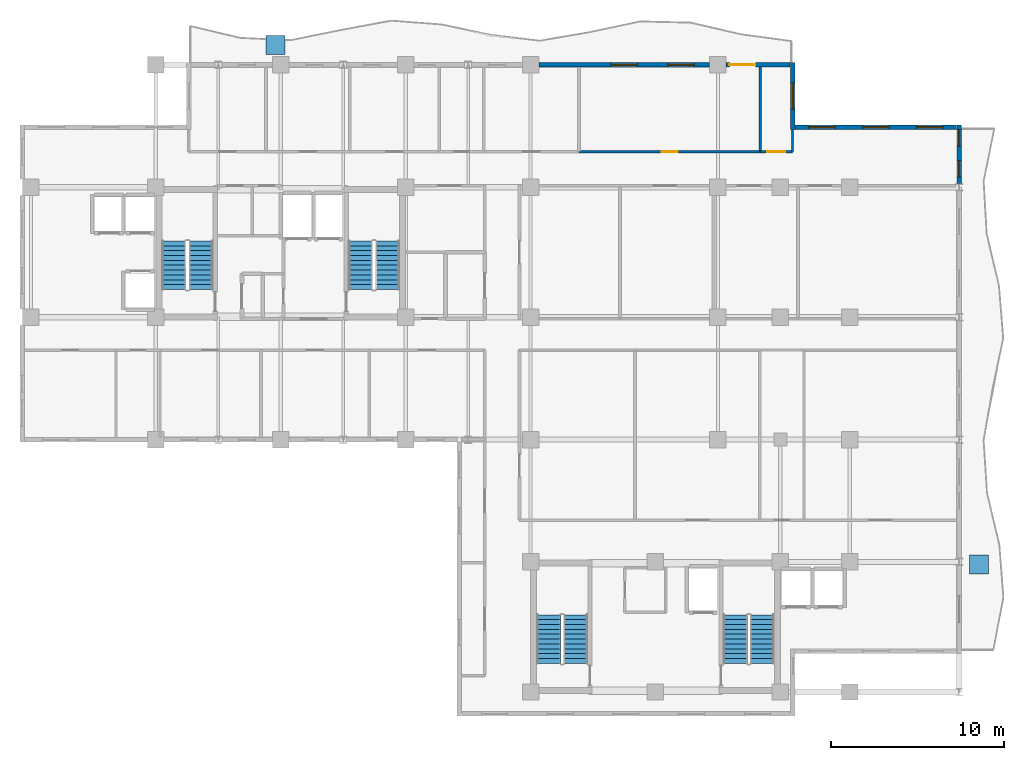
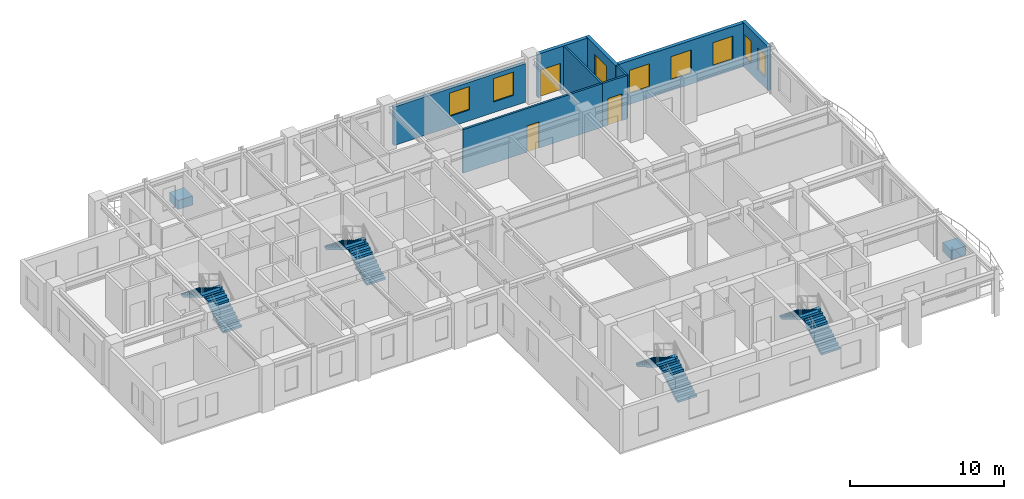
# One storey, part 10 of 13: 9 walls, 8 stair flights, 8 windows, 3 doors, 2 discrete accessories, 11 openings, 4 elements without a shape of their own.
"""IFC4 building model written with IfcOpenShell, lengths in metres."""

from ifc_helpers import new_model, si_unit, direction, frame, frame_2d, origin, origin_2d, place, context, subcontext, project, spatial, polyline, rectangle, outline, extrude, source, transform, mapped, material, layer, layer_set, type_object, element, fill, aggregate, save


model = new_model("IFC4")

# Units and contexts
model_context = context("Model", 3, precision=1e-05, world=origin(), true_north=direction((0.0, 1.0)))
body_context = subcontext(model_context, "Body", "Model", "MODEL_VIEW")
ifc_project = project(units=[si_unit("LENGTHUNIT", "METRE"), si_unit("AREAUNIT", "SQUARE_METRE"), si_unit("VOLUMEUNIT", "CUBIC_METRE"), si_unit("PLANEANGLEUNIT", "RADIAN"), si_unit("MASSUNIT", "GRAM", prefix="KILO")], contexts=[model_context])

# Site, building, storey
site_placement = place(None, origin())
site = spatial("IfcSite", under=ifc_project, at=site_placement, CompositionType="ELEMENT")
building_placement = place(site_placement, origin())
building = spatial("IfcBuilding", under=site, at=building_placement, Name="Kaliganga Portal Commons", CompositionType="ELEMENT")
storey_placement = place(building_placement, frame((0.0, 0.0, 224.0)))
storey = spatial("IfcBuildingStorey", under=building, at=storey_placement, Name="L57", CompositionType="ELEMENT", Elevation=224.0)

# Wall, openings, windows
ifc_material_1 = material(Name="Insulated Aluminium-Clad Spandrel Assembly", Category="aluminium")
ifc_layer_1 = layer(ifc_material_1, 0.260009765625)
ifc_layer_set_1 = layer_set([ifc_layer_1], Name="Insulated Aluminium-Clad Spandrel Assembly")
wall_type_1 = type_object("IfcWallType", Name="WL-EXT-SPAND-260", PredefinedType="STANDARD", material=ifc_layer_set_1)
wall_1_placement = place(storey_placement, frame((60.699951171875, 39.72998046875, 0.0), z_axis=(0.0, 0.0, 1.0), x_axis=(0.0, -1.0, 0.0)))
wall_1 = element("IfcWall", 1, at=wall_1_placement, inside=storey, type_object=wall_type_1, Name="Exterior Envelope Wall L57 P1-E03-S5", PredefinedType="STANDARD", context=body_context, shape_type="SweptSolid", body=[
    extrude(rectangle(XDim=3.37890625, YDim=0.260009765625, at=frame_2d((1.689453125, 0.0))), origin(), (0.0, 0.0, 1.0), 3.449951171875),
])
opening_1_placement = place(wall_1_placement, frame((2.052490234375, 0.0, 0.85009765625)))
opening_1 = element("IfcOpeningElement", 2, at=opening_1_placement, cuts=wall_1, Name="Opening W-04", PredefinedType="OPENING", context=body_context, shape_type="SweptSolid", body=[
    extrude(rectangle(XDim=0.949951171875, YDim=1.75, at=frame_2d((0.47509765625, 0.875))), frame((0.0, 0.14013671875, 0.0), z_axis=(0.0, -1.0, 0.0), x_axis=(1.0, 0.0, 0.0)), (0.0, 0.0, 1.0), 0.280029296875),
])
opening_2_placement = place(wall_1_placement, frame((0.268310546875, 0.0, 0.85009765625)))
opening_2 = element("IfcOpeningElement", 3, at=opening_2_placement, cuts=wall_1, Name="Opening W-04", PredefinedType="OPENING", context=body_context, shape_type="SweptSolid", body=[
    extrude(rectangle(XDim=0.949951171875, YDim=1.75, at=frame_2d((0.47509765625, 0.875))), frame((0.0, 0.14013671875, 0.0), z_axis=(0.0, -1.0, 0.0), x_axis=(1.0, 0.0, 0.0)), (0.0, 0.0, 1.0), 0.280029296875),
])
ifc_material_2 = material(Name="Thermally Broken Aluminium and Low-E Double Glazing", Category="aluminium")
window_type_1 = type_object("IfcWindowType", Name="WIN-NARROW-950", PartitioningType="SINGLE_PANEL", PredefinedType="WINDOW", material=ifc_material_2)
window_1_placement = place(opening_1_placement, origin())
window_1 = element("IfcWindow", 4, at=window_1_placement, inside=storey, type_object=window_type_1, Name="Facade Window L57-P1E03S5-N2", OverallHeight=1.75, OverallWidth=0.949951171875, PartitioningType="SINGLE_PANEL", PredefinedType="WINDOW", context=body_context, shape_type="SweptSolid", body=[
    extrude(rectangle(XDim=0.949951171875, YDim=1.75, at=frame_2d((0.47509765625, 0.875))), frame((0.0, 0.030029296875, 0.0), z_axis=(0.0, -1.0, 0.0), x_axis=(1.0, 0.0, 0.0)), (0.0, 0.0, 1.0), 0.06005859375),
])
fill(opening_1, window_1)
window_2_placement = place(opening_2_placement, origin())
window_2 = element("IfcWindow", 5, at=window_2_placement, inside=storey, type_object=window_type_1, Name="Facade Window L57-P1E03S5-N9", OverallHeight=1.75, OverallWidth=0.949951171875, PartitioningType="SINGLE_PANEL", PredefinedType="WINDOW", context=body_context, shape_type="SweptSolid", body=[
    extrude(rectangle(XDim=0.949951171875, YDim=1.75, at=frame_2d((0.47509765625, 0.875))), frame((0.0, 0.030029296875, 0.0), z_axis=(0.0, -1.0, 0.0), x_axis=(1.0, 0.0, 0.0)), (0.0, 0.0, 1.0), 0.06005859375),
])
fill(opening_2, window_2)

wall_2_placement = place(storey_placement, frame((51.235107421875, 39.60009765625, 0.0), z_axis=(0.0, 0.0, 1.0), x_axis=(1.0, 0.0, 0.0)))
wall_2 = element("IfcWall", 6, at=wall_2_placement, inside=storey, type_object=wall_type_1, Name="Exterior Envelope Wall L57 P1-E04-S1", PredefinedType="STANDARD", context=body_context, shape_type="SweptSolid", body=[
    extrude(rectangle(XDim=9.329833984375, YDim=0.260009765625, at=frame_2d((4.6650390625, 0.0))), origin(), (0.0, 0.0, 1.0), 3.449951171875),
])
opening_3_placement = place(wall_2_placement, frame((0.804931640625, 0.0, 0.85009765625)))
opening_3 = element("IfcOpeningElement", 7, at=opening_3_placement, cuts=wall_2, Name="Opening W-02", PredefinedType="OPENING", context=body_context, shape_type="SweptSolid", body=[
    extrude(rectangle(XDim=1.5, YDim=1.85009765625, at=frame_2d((0.75, 0.925048828125))), frame((0.0, 0.14013671875, 0.0), z_axis=(0.0, -1.0, 0.0), x_axis=(1.0, 0.0, 0.0)), (0.0, 0.0, 1.0), 0.280029296875),
])
opening_4_placement = place(wall_2_placement, frame((3.9150390625, 0.0, 0.85009765625)))
opening_4 = element("IfcOpeningElement", 8, at=opening_4_placement, cuts=wall_2, Name="Opening W-02", PredefinedType="OPENING", context=body_context, shape_type="SweptSolid", body=[
    extrude(rectangle(XDim=1.5, YDim=1.85009765625, at=frame_2d((0.75, 0.925048828125))), frame((0.0, 0.14013671875, 0.0), z_axis=(0.0, -1.0, 0.0), x_axis=(1.0, 0.0, 0.0)), (0.0, 0.0, 1.0), 0.280029296875),
])
opening_5_placement = place(wall_2_placement, frame((7.02490234375, 0.0, 0.85009765625)))
opening_5 = element("IfcOpeningElement", 9, at=opening_5_placement, cuts=wall_2, Name="Opening W-02", PredefinedType="OPENING", context=body_context, shape_type="SweptSolid", body=[
    extrude(rectangle(XDim=1.5, YDim=1.85009765625, at=frame_2d((0.75, 0.925048828125))), frame((0.0, 0.14013671875, 0.0), z_axis=(0.0, -1.0, 0.0), x_axis=(1.0, 0.0, 0.0)), (0.0, 0.0, 1.0), 0.280029296875),
])
window_type_2 = type_object("IfcWindowType", Name="WIN-STD-1500", PartitioningType="DOUBLE_PANEL_VERTICAL", PredefinedType="WINDOW", material=ifc_material_2)
window_3_placement = place(opening_3_placement, origin())
window_3 = element("IfcWindow", 10, at=window_3_placement, inside=storey, type_object=window_type_2, Name="Facade Window L57-P1E04S1-00", OverallHeight=1.85009765625, OverallWidth=1.5, PartitioningType="SINGLE_PANEL", PredefinedType="WINDOW", context=body_context, shape_type="SweptSolid", body=[
    extrude(rectangle(XDim=1.5, YDim=1.85009765625, at=frame_2d((0.75, 0.925048828125))), frame((0.0, 0.030029296875, 0.0), z_axis=(0.0, -1.0, 0.0), x_axis=(1.0, 0.0, 0.0)), (0.0, 0.0, 1.0), 0.06005859375),
])
fill(opening_3, window_3)
window_4_placement = place(opening_4_placement, origin())
window_4 = element("IfcWindow", 11, at=window_4_placement, inside=storey, type_object=window_type_2, Name="Facade Window L57-P1E04S1-01", OverallHeight=1.85009765625, OverallWidth=1.5, PartitioningType="SINGLE_PANEL", PredefinedType="WINDOW", context=body_context, shape_type="SweptSolid", body=[
    extrude(rectangle(XDim=1.5, YDim=1.85009765625, at=frame_2d((0.75, 0.925048828125))), frame((0.0, 0.030029296875, 0.0), z_axis=(0.0, -1.0, 0.0), x_axis=(1.0, 0.0, 0.0)), (0.0, 0.0, 1.0), 0.06005859375),
])
fill(opening_4, window_4)
window_5_placement = place(opening_5_placement, origin())
window_5 = element("IfcWindow", 12, at=window_5_placement, inside=storey, type_object=window_type_2, Name="Facade Window L57-P1E04S1-02", OverallHeight=1.85009765625, OverallWidth=1.5, PartitioningType="SINGLE_PANEL", PredefinedType="WINDOW", context=body_context, shape_type="SweptSolid", body=[
    extrude(rectangle(XDim=1.5, YDim=1.85009765625, at=frame_2d((0.75, 0.925048828125))), frame((0.0, 0.030029296875, 0.0), z_axis=(0.0, -1.0, 0.0), x_axis=(1.0, 0.0, 0.0)), (0.0, 0.0, 1.0), 0.06005859375),
])
fill(opening_5, window_5)

# Wall, opening, window
wall_3_placement = place(storey_placement, frame((51.10009765625, 43.330078125, 0.0), z_axis=(0.0, 0.0, 1.0), x_axis=(0.0, -1.0, 0.0)))
wall_3 = element("IfcWall", 13, at=wall_3_placement, inside=storey, type_object=wall_type_1, Name="Exterior Envelope Wall L57 P1-E05-S1", PredefinedType="STANDARD", context=body_context, shape_type="SweptSolid", body=[
    extrude(rectangle(XDim=3.860107421875, YDim=0.260009765625, at=frame_2d((1.93017578125, 0.0))), origin(), (0.0, 0.0, 1.0), 3.449951171875),
])
opening_6_placement = place(wall_3_placement, frame((1.179931640625, 0.0, 0.85009765625)))
opening_6 = element("IfcOpeningElement", 14, at=opening_6_placement, cuts=wall_3, Name="Opening W-02", PredefinedType="OPENING", context=body_context, shape_type="SweptSolid", body=[
    extrude(rectangle(XDim=1.5, YDim=1.85009765625, at=frame_2d((0.75, 0.925048828125))), frame((0.0, 0.14013671875, 0.0), z_axis=(0.0, -1.0, 0.0), x_axis=(1.0, 0.0, 0.0)), (0.0, 0.0, 1.0), 0.280029296875),
])
window_6_placement = place(opening_6_placement, origin())
window_6 = element("IfcWindow", 15, at=window_6_placement, inside=storey, type_object=window_type_2, Name="Facade Window L57-P1E05S1-00", OverallHeight=1.85009765625, OverallWidth=1.5, PartitioningType="SINGLE_PANEL", PredefinedType="WINDOW", context=body_context, shape_type="SweptSolid", body=[
    extrude(rectangle(XDim=1.5, YDim=1.85009765625, at=frame_2d((0.75, 0.925048828125))), frame((0.0, 0.030029296875, 0.0), z_axis=(0.0, -1.0, 0.0), x_axis=(1.0, 0.0, 0.0)), (0.0, 0.0, 1.0), 0.06005859375),
])
fill(opening_6, window_6)

# Wall, opening, door
wall_4_placement = place(storey_placement, frame((47.27587890625, 43.199951171875, 0.0), z_axis=(0.0, 0.0, 1.0), x_axis=(1.0, 0.0, 0.0)))
wall_4 = element("IfcWall", 16, at=wall_4_placement, inside=storey, type_object=wall_type_1, Name="Exterior Envelope Wall L57 P1-E06-S1", PredefinedType="STANDARD", context=body_context, shape_type="SweptSolid", body=[
    extrude(rectangle(XDim=3.689208984375, YDim=0.260009765625, at=frame_2d((1.8447265625, 0.0))), origin(), (0.0, 0.0, 1.0), 3.449951171875),
])
opening_7_placement = place(wall_4_placement, frame((0.179931640625, 0.0, 0.0)))
opening_7 = element("IfcOpeningElement", 17, at=opening_7_placement, cuts=wall_4, Name="Opening BD-01", PredefinedType="OPENING", context=body_context, shape_type="SweptSolid", body=[
    extrude(rectangle(XDim=1.5, YDim=2.14990234375, at=frame_2d((0.75, 1.074951171875))), frame((0.0, 0.14013671875, 0.0), z_axis=(0.0, -1.0, 0.0), x_axis=(1.0, 0.0, 0.0)), (0.0, 0.0, 1.0), 0.280029296875),
])
ifc_material_3 = material(Name="Anodized Aluminium and Laminated Safety Glass", Category="aluminium")
door_type_1 = type_object("IfcDoorType", Name="DR-BALC-1500", OperationType="SLIDING_TO_LEFT", PredefinedType="DOOR", material=ifc_material_3)
door_1_placement = place(opening_7_placement, origin())
door_1 = element("IfcDoor", 18, at=door_1_placement, inside=storey, type_object=door_type_1, Name="Balcony Sliding Door L57 balc_north", OperationType="SLIDING_TO_LEFT", OverallHeight=2.14990234375, OverallWidth=1.5, PredefinedType="DOOR", context=body_context, shape_type="SweptSolid", body=[
    extrude(rectangle(XDim=1.5, YDim=2.14990234375, at=frame_2d((0.75, 1.074951171875))), frame((0.0, 0.02490234375, 0.0), z_axis=(0.0, -1.0, 0.0), x_axis=(1.0, 0.0, 0.0)), (0.0, 0.0, 1.0), 0.050048828125),
])
fill(opening_7, door_1)

# Wall, openings, windows
wall_5_placement = place(storey_placement, frame((36.47607421875, 43.199951171875, 0.0), z_axis=(0.0, 0.0, 1.0), x_axis=(1.0, 0.0, 0.0)))
wall_5 = element("IfcWall", 19, at=wall_5_placement, inside=storey, type_object=wall_type_1, Name="Exterior Envelope Wall L57 P1-E06-S2", PredefinedType="STANDARD", context=body_context, shape_type="SweptSolid", body=[
    extrude(rectangle(XDim=9.847900390625, YDim=0.260009765625, at=frame_2d((4.923828125, 0.0))), origin(), (0.0, 0.0, 1.0), 3.050048828125),
])
opening_8_placement = place(wall_5_placement, frame((4.174072265625, 0.0, 0.85009765625)))
opening_8 = element("IfcOpeningElement", 20, at=opening_8_placement, cuts=wall_5, Name="Opening W-02", PredefinedType="OPENING", context=body_context, shape_type="SweptSolid", body=[
    extrude(rectangle(XDim=1.5, YDim=1.85009765625, at=frame_2d((0.75, 0.925048828125))), frame((0.0, 0.14013671875, 0.0), z_axis=(0.0, -1.0, 0.0), x_axis=(1.0, 0.0, 0.0)), (0.0, 0.0, 1.0), 0.280029296875),
])
opening_9_placement = place(wall_5_placement, frame((7.456787109375, 0.0, 0.85009765625)))
opening_9 = element("IfcOpeningElement", 21, at=opening_9_placement, cuts=wall_5, Name="Opening W-02", PredefinedType="OPENING", context=body_context, shape_type="SweptSolid", body=[
    extrude(rectangle(XDim=1.5, YDim=1.85009765625, at=frame_2d((0.75, 0.925048828125))), frame((0.0, 0.14013671875, 0.0), z_axis=(0.0, -1.0, 0.0), x_axis=(1.0, 0.0, 0.0)), (0.0, 0.0, 1.0), 0.280029296875),
])
window_7_placement = place(opening_8_placement, origin())
window_7 = element("IfcWindow", 22, at=window_7_placement, inside=storey, type_object=window_type_2, Name="Facade Window L57-P1E06S2-01", OverallHeight=1.85009765625, OverallWidth=1.5, PartitioningType="SINGLE_PANEL", PredefinedType="WINDOW", context=body_context, shape_type="SweptSolid", body=[
    extrude(rectangle(XDim=1.5, YDim=1.85009765625, at=frame_2d((0.75, 0.925048828125))), frame((0.0, 0.030029296875, 0.0), z_axis=(0.0, -1.0, 0.0), x_axis=(1.0, 0.0, 0.0)), (0.0, 0.0, 1.0), 0.06005859375),
])
fill(opening_8, window_7)
window_8_placement = place(opening_9_placement, origin())
window_8 = element("IfcWindow", 23, at=window_8_placement, inside=storey, type_object=window_type_2, Name="Facade Window L57-P1E06S2-02", OverallHeight=1.85009765625, OverallWidth=1.5, PartitioningType="SINGLE_PANEL", PredefinedType="WINDOW", context=body_context, shape_type="SweptSolid", body=[
    extrude(rectangle(XDim=1.5, YDim=1.85009765625, at=frame_2d((0.75, 0.925048828125))), frame((0.0, 0.030029296875, 0.0), z_axis=(0.0, -1.0, 0.0), x_axis=(1.0, 0.0, 0.0)), (0.0, 0.0, 1.0), 0.06005859375),
])
fill(opening_9, window_8)

# Wall, opening, door
ifc_material_4 = material(Name="Fire-Rated Gypsum Board on Steel Stud", Category="steel")
ifc_layer_2 = layer(ifc_material_4, 0.14990234375)
ifc_layer_set_2 = layer_set([ifc_layer_2], Name="Fire-Rated Gypsum Board on Steel Stud")
wall_type_2 = type_object("IfcWallType", Name="WL-PART-CORR-150", PredefinedType="PARTITIONING", material=ifc_layer_set_2)
wall_6_placement = place(storey_placement, frame((38.800048828125, 38.199951171875, 0.0), z_axis=(0.0, 0.0, 1.0), x_axis=(1.0, 0.0, 0.0)))
wall_6 = element("IfcWall", 24, at=wall_6_placement, inside=storey, type_object=wall_type_2, Name="Interior Partition L57-001", PredefinedType="PARTITIONING", context=body_context, shape_type="SweptSolid", body=[
    extrude(rectangle(XDim=10.43994140625, YDim=0.14990234375, at=frame_2d((5.219970703125, 0.0))), origin(), (0.0, 0.0, 1.0), 3.449951171875),
])
opening_10_placement = place(wall_6_placement, frame((4.77001953125, 0.0, 0.0)))
opening_10 = element("IfcOpeningElement", 25, at=opening_10_placement, cuts=wall_6, Name="Opening RD-01", PredefinedType="OPENING", context=body_context, shape_type="SweptSolid", body=[
    extrude(rectangle(XDim=0.89990234375, YDim=2.080078125, at=frame_2d((0.449951171875, 1.0400390625))), frame((0.0, 0.0849609375, 0.0), z_axis=(0.0, -1.0, 0.0), x_axis=(1.0, 0.0, 0.0)), (0.0, 0.0, 1.0), 0.169921875),
])
ifc_material_5 = material(Name="Engineered Timber Flush Door", Category="wood")
door_type_2 = type_object("IfcDoorType", Name="DR-ROOM-900", OperationType="NOTDEFINED", PredefinedType="DOOR", material=ifc_material_5)
door_2_placement = place(opening_10_placement, origin())
door_2 = element("IfcDoor", 26, at=door_2_placement, inside=storey, type_object=door_type_2, Name="Interior Door L57-AN06", OperationType="SINGLE_SWING_RIGHT", OverallHeight=2.080078125, OverallWidth=0.89990234375, PredefinedType="DOOR", context=body_context, shape_type="SweptSolid", body=[
    extrude(rectangle(XDim=0.89990234375, YDim=2.080078125, at=frame_2d((0.449951171875, 1.0400390625))), frame((0.0, 0.02490234375, 0.0), z_axis=(0.0, -1.0, 0.0), x_axis=(1.0, 0.0, 0.0)), (0.0, 0.0, 1.0), 0.050048828125),
])
fill(opening_10, door_2)

wall_7_placement = place(storey_placement, frame((49.239990234375, 38.199951171875, 0.0), z_axis=(0.0, 0.0, 1.0), x_axis=(1.0, 0.0, 0.0)))
wall_7 = element("IfcWall", 27, at=wall_7_placement, inside=storey, type_object=wall_type_2, Name="Interior Partition L57-038", PredefinedType="PARTITIONING", context=body_context, shape_type="SweptSolid", body=[
    extrude(rectangle(XDim=1.860107421875, YDim=0.14990234375, at=frame_2d((0.93017578125, 0.0))), origin(), (0.0, 0.0, 1.0), 3.449951171875),
])
opening_11_placement = place(wall_7_placement, frame((0.405029296875, 0.0, 0.0)))
opening_11 = element("IfcOpeningElement", 28, at=opening_11_placement, cuts=wall_7, Name="Opening UD-02", PredefinedType="OPENING", context=body_context, shape_type="SweptSolid", body=[
    extrude(rectangle(XDim=1.050048828125, YDim=2.1201171875, at=frame_2d((0.52490234375, 1.06005859375))), frame((0.0, 0.0849609375, 0.0), z_axis=(0.0, -1.0, 0.0), x_axis=(1.0, 0.0, 0.0)), (0.0, 0.0, 1.0), 0.169921875),
])
ifc_material_6 = material(Name="Accessible Wide-Leaf Acoustic Fire Door", Category="wood")
door_type_3 = type_object("IfcDoorType", Name="DR-ACC-1050", OperationType="NOTDEFINED", PredefinedType="DOOR", material=ifc_material_6)
door_3_placement = place(opening_11_placement, origin())
door_3 = element("IfcDoor", 29, at=door_3_placement, inside=storey, type_object=door_type_3, Name="Interior Door L57-AN07", OperationType="SINGLE_SWING_RIGHT", OverallHeight=2.1201171875, OverallWidth=1.050048828125, PredefinedType="DOOR", context=body_context, shape_type="SweptSolid", body=[
    extrude(rectangle(XDim=1.050048828125, YDim=2.1201171875, at=frame_2d((0.52490234375, 1.06005859375))), frame((0.0, 0.02490234375, 0.0), z_axis=(0.0, -1.0, 0.0), x_axis=(1.0, 0.0, 0.0)), (0.0, 0.0, 1.0), 0.050048828125),
])
fill(opening_11, door_3)

# Walls
ifc_material_7 = material(Name="Cement-Board Wet-Room Partition", Category="gypsum")
ifc_layer_3 = layer(ifc_material_7, 0.135009765625)
ifc_layer_set_3 = layer_set([ifc_layer_3], Name="Cement-Board Wet-Room Partition")
wall_type_3 = type_object("IfcWallType", Name="WL-PART-WET-135", PredefinedType="PARTITIONING", material=ifc_layer_set_3)
wall_8_placement = place(storey_placement, frame((49.239990234375, 38.199951171875, 0.0), z_axis=(0.0, 0.0, 1.0), x_axis=(0.0, 1.0, 0.0)))
element("IfcWall", 30, at=wall_8_placement, inside=storey, type_object=wall_type_3, Name="Interior Partition L57-068", PredefinedType="PARTITIONING", context=body_context, shape_type="SweptSolid", body=[
    extrude(rectangle(XDim=4.8681640625, YDim=0.135009765625, at=frame_2d((2.43408203125, 0.0))), origin(), (0.0, 0.0, 1.0), 3.449951171875),
])
wall_9_placement = place(storey_placement, frame((51.10009765625, 38.199951171875, 0.0), z_axis=(0.0, 0.0, 1.0), x_axis=(0.0, 1.0, 0.0)))
element("IfcWall", 31, at=wall_9_placement, inside=storey, type_object=wall_type_3, Name="Interior Partition L57-069", PredefinedType="PARTITIONING", context=body_context, shape_type="SweptSolid", body=[
    extrude(rectangle(XDim=1.26806640625, YDim=0.135009765625, at=frame_2d((0.634033203125, 0.0))), origin(), (0.0, 0.0, 1.0), 3.449951171875),
])

# Stair, stair flights
ifc_material_8 = material(Name="Concrete C40/50", Category="concrete")
stair_type = type_object("IfcStairType", Name="ST-CORE-DOGLEG", PredefinedType="HALF_TURN_STAIR", material=ifc_material_8)
stair_1_placement = place(storey_placement, origin())
stair_1 = element("IfcStair", 32, at=stair_1_placement, inside=storey, type_object=stair_type, Name="L57 Protected Exit Stair ST-A1", PredefinedType="HALF_TURN_STAIR")
stair_flight_type = type_object("IfcStairFlightType", Name="STF-RC-1400", PredefinedType="STRAIGHT", material=ifc_material_8)
stair_flight_1_placement = place(storey_placement, frame((17.0, 30.25, 0.0), z_axis=(0.0, 0.0, 1.0), x_axis=(0.0, 1.0, 0.0)))
stair_flight_1 = element("IfcStairFlight", 33, at=stair_flight_1_placement, type_object=stair_flight_type, Name="ST-A1 flight 1", NumberOfRisers=11, NumberOfTreads=10, PredefinedType="STRAIGHT", RiserHeight=0.168181818, TreadLength=0.28, context=body_context, shape_type="SweptSolid", body=[
    extrude(outline(polyline([(0.0, 0.0), (0.0, 0.168212890625), (0.280029296875, 0.168212890625), (0.280029296875, 0.33642578125), (0.56005859375, 0.33642578125), (0.56005859375, 0.504638671875), (0.840087890625, 0.504638671875), (0.840087890625, 0.672607421875), (1.1201171875, 0.672607421875), (1.1201171875, 0.8408203125), (1.39990234375, 0.8408203125), (1.39990234375, 1.009033203125), (1.679931640625, 1.009033203125), (1.679931640625, 1.17724609375), (1.9599609375, 1.17724609375), (1.9599609375, 1.345458984375), (2.239990234375, 1.345458984375), (2.239990234375, 1.513671875), (2.52001953125, 1.513671875), (2.52001953125, 1.681884765625), (2.800048828125, 1.681884765625), (2.800048828125, 1.85009765625), (2.800048828125, 1.5068359375), (0.291015625, 0.0), (0.0, 0.0)])), frame((0.0, 0.699951171875, 0.0), z_axis=(0.0, -1.0, 0.0), x_axis=(1.0, 0.0, 0.0)), (0.0, 0.0, 1.0), 1.39990234375),
])
stair_flight_2_placement = place(storey_placement, frame((15.449951171875, 33.050048828125, 1.85009765625), z_axis=(0.0, 0.0, 1.0), x_axis=(0.0, -1.0, 0.0)))
stair_flight_2 = element("IfcStairFlight", 34, at=stair_flight_2_placement, type_object=stair_flight_type, Name="ST-A1 flight 2", NumberOfRisers=11, NumberOfTreads=10, PredefinedType="STRAIGHT", RiserHeight=0.168181818, TreadLength=0.28, context=body_context, shape_type="SweptSolid", body=[
    extrude(outline(polyline([(0.0, 0.0), (0.0, 0.168212890625), (0.280029296875, 0.168212890625), (0.280029296875, 0.33642578125), (0.56005859375, 0.33642578125), (0.56005859375, 0.504638671875), (0.840087890625, 0.504638671875), (0.840087890625, 0.672607421875), (1.1201171875, 0.672607421875), (1.1201171875, 0.8408203125), (1.39990234375, 0.8408203125), (1.39990234375, 1.009033203125), (1.679931640625, 1.009033203125), (1.679931640625, 1.17724609375), (1.9599609375, 1.17724609375), (1.9599609375, 1.345458984375), (2.239990234375, 1.345458984375), (2.239990234375, 1.513671875), (2.52001953125, 1.513671875), (2.52001953125, 1.681884765625), (2.800048828125, 1.681884765625), (2.800048828125, 1.85009765625), (2.800048828125, 1.5068359375), (0.291015625, 0.0), (0.0, 0.0)])), frame((0.0, 0.699951171875, 0.0), z_axis=(0.0, -1.0, 0.0), x_axis=(1.0, 0.0, 0.0)), (0.0, 0.0, 1.0), 1.39990234375),
])
aggregate(stair_1, [stair_flight_1, stair_flight_2])

stair_2_placement = place(storey_placement, origin())
stair_2 = element("IfcStair", 35, at=stair_2_placement, inside=storey, type_object=stair_type, Name="L57 Protected Exit Stair ST-A2", PredefinedType="HALF_TURN_STAIR")
stair_flight_3_placement = place(storey_placement, frame((27.75, 30.25, 0.0), z_axis=(0.0, 0.0, 1.0), x_axis=(0.0, 1.0, 0.0)))
stair_flight_3 = element("IfcStairFlight", 36, at=stair_flight_3_placement, type_object=stair_flight_type, Name="ST-A2 flight 1", NumberOfRisers=11, NumberOfTreads=10, PredefinedType="STRAIGHT", RiserHeight=0.168181818, TreadLength=0.28, context=body_context, shape_type="SweptSolid", body=[
    extrude(outline(polyline([(0.0, 0.0), (0.0, 0.168212890625), (0.280029296875, 0.168212890625), (0.280029296875, 0.33642578125), (0.56005859375, 0.33642578125), (0.56005859375, 0.504638671875), (0.840087890625, 0.504638671875), (0.840087890625, 0.672607421875), (1.1201171875, 0.672607421875), (1.1201171875, 0.8408203125), (1.39990234375, 0.8408203125), (1.39990234375, 1.009033203125), (1.679931640625, 1.009033203125), (1.679931640625, 1.17724609375), (1.9599609375, 1.17724609375), (1.9599609375, 1.345458984375), (2.239990234375, 1.345458984375), (2.239990234375, 1.513671875), (2.52001953125, 1.513671875), (2.52001953125, 1.681884765625), (2.800048828125, 1.681884765625), (2.800048828125, 1.85009765625), (2.800048828125, 1.5068359375), (0.291015625, 0.0), (0.0, 0.0)])), frame((0.0, 0.699951171875, 0.0), z_axis=(0.0, -1.0, 0.0), x_axis=(1.0, 0.0, 0.0)), (0.0, 0.0, 1.0), 1.39990234375),
])
stair_flight_4_placement = place(storey_placement, frame((26.199951171875, 33.050048828125, 1.85009765625), z_axis=(0.0, 0.0, 1.0), x_axis=(0.0, -1.0, 0.0)))
stair_flight_4 = element("IfcStairFlight", 37, at=stair_flight_4_placement, type_object=stair_flight_type, Name="ST-A2 flight 2", NumberOfRisers=11, NumberOfTreads=10, PredefinedType="STRAIGHT", RiserHeight=0.168181818, TreadLength=0.28, context=body_context, shape_type="SweptSolid", body=[
    extrude(outline(polyline([(0.0, 0.0), (0.0, 0.168212890625), (0.280029296875, 0.168212890625), (0.280029296875, 0.33642578125), (0.56005859375, 0.33642578125), (0.56005859375, 0.504638671875), (0.840087890625, 0.504638671875), (0.840087890625, 0.672607421875), (1.1201171875, 0.672607421875), (1.1201171875, 0.8408203125), (1.39990234375, 0.8408203125), (1.39990234375, 1.009033203125), (1.679931640625, 1.009033203125), (1.679931640625, 1.17724609375), (1.9599609375, 1.17724609375), (1.9599609375, 1.345458984375), (2.239990234375, 1.345458984375), (2.239990234375, 1.513671875), (2.52001953125, 1.513671875), (2.52001953125, 1.681884765625), (2.800048828125, 1.681884765625), (2.800048828125, 1.85009765625), (2.800048828125, 1.5068359375), (0.291015625, 0.0), (0.0, 0.0)])), frame((0.0, 0.699951171875, 0.0), z_axis=(0.0, -1.0, 0.0), x_axis=(1.0, 0.0, 0.0)), (0.0, 0.0, 1.0), 1.39990234375),
])
aggregate(stair_2, [stair_flight_3, stair_flight_4])

stair_3_placement = place(storey_placement, origin())
stair_3 = element("IfcStair", 38, at=stair_3_placement, inside=storey, type_object=stair_type, Name="L57 Protected Exit Stair ST-B1", PredefinedType="HALF_TURN_STAIR")
stair_flight_5_placement = place(storey_placement, frame((38.60009765625, 8.699951171875, 0.0), z_axis=(0.0, 0.0, 1.0), x_axis=(0.0, 1.0, 0.0)))
stair_flight_5 = element("IfcStairFlight", 39, at=stair_flight_5_placement, type_object=stair_flight_type, Name="ST-B1 flight 1", NumberOfRisers=11, NumberOfTreads=10, PredefinedType="STRAIGHT", RiserHeight=0.168181818, TreadLength=0.28, context=body_context, shape_type="SweptSolid", body=[
    extrude(outline(polyline([(0.0, 0.0), (0.0, 0.168212890625), (0.280029296875, 0.168212890625), (0.280029296875, 0.33642578125), (0.56005859375, 0.33642578125), (0.56005859375, 0.504638671875), (0.840087890625, 0.504638671875), (0.840087890625, 0.672607421875), (1.1201171875, 0.672607421875), (1.1201171875, 0.8408203125), (1.39990234375, 0.8408203125), (1.39990234375, 1.009033203125), (1.679931640625, 1.009033203125), (1.679931640625, 1.17724609375), (1.9599609375, 1.17724609375), (1.9599609375, 1.345458984375), (2.239990234375, 1.345458984375), (2.239990234375, 1.513671875), (2.52001953125, 1.513671875), (2.52001953125, 1.681884765625), (2.800048828125, 1.681884765625), (2.800048828125, 1.85009765625), (2.800048828125, 1.5068359375), (0.291015625, 0.0), (0.0, 0.0)])), frame((0.0, 0.699951171875, 0.0), z_axis=(0.0, -1.0, 0.0), x_axis=(1.0, 0.0, 0.0)), (0.0, 0.0, 1.0), 1.39990234375),
])
stair_flight_6_placement = place(storey_placement, frame((37.050048828125, 11.5, 1.85009765625), z_axis=(0.0, 0.0, 1.0), x_axis=(0.0, -1.0, 0.0)))
stair_flight_6 = element("IfcStairFlight", 40, at=stair_flight_6_placement, type_object=stair_flight_type, Name="ST-B1 flight 2", NumberOfRisers=11, NumberOfTreads=10, PredefinedType="STRAIGHT", RiserHeight=0.168181818, TreadLength=0.28, context=body_context, shape_type="SweptSolid", body=[
    extrude(outline(polyline([(0.0, 0.0), (0.0, 0.168212890625), (0.280029296875, 0.168212890625), (0.280029296875, 0.33642578125), (0.56005859375, 0.33642578125), (0.56005859375, 0.504638671875), (0.840087890625, 0.504638671875), (0.840087890625, 0.672607421875), (1.1201171875, 0.672607421875), (1.1201171875, 0.8408203125), (1.39990234375, 0.8408203125), (1.39990234375, 1.009033203125), (1.679931640625, 1.009033203125), (1.679931640625, 1.17724609375), (1.9599609375, 1.17724609375), (1.9599609375, 1.345458984375), (2.239990234375, 1.345458984375), (2.239990234375, 1.513671875), (2.52001953125, 1.513671875), (2.52001953125, 1.681884765625), (2.800048828125, 1.681884765625), (2.800048828125, 1.85009765625), (2.800048828125, 1.5068359375), (0.291015625, 0.0), (0.0, 0.0)])), frame((0.0, 0.699951171875, 0.0), z_axis=(0.0, -1.0, 0.0), x_axis=(1.0, 0.0, 0.0)), (0.0, 0.0, 1.0), 1.39990234375),
])
aggregate(stair_3, [stair_flight_5, stair_flight_6])

stair_4_placement = place(storey_placement, origin())
stair_4 = element("IfcStair", 41, at=stair_4_placement, inside=storey, type_object=stair_type, Name="L57 Protected Exit Stair ST-B2", PredefinedType="HALF_TURN_STAIR")
stair_flight_7_placement = place(storey_placement, frame((49.35009765625, 8.699951171875, 0.0), z_axis=(0.0, 0.0, 1.0), x_axis=(0.0, 1.0, 0.0)))
stair_flight_7 = element("IfcStairFlight", 42, at=stair_flight_7_placement, type_object=stair_flight_type, Name="ST-B2 flight 1", NumberOfRisers=11, NumberOfTreads=10, PredefinedType="STRAIGHT", RiserHeight=0.168181818, TreadLength=0.28, context=body_context, shape_type="SweptSolid", body=[
    extrude(outline(polyline([(0.0, 0.0), (0.0, 0.168212890625), (0.280029296875, 0.168212890625), (0.280029296875, 0.33642578125), (0.56005859375, 0.33642578125), (0.56005859375, 0.504638671875), (0.840087890625, 0.504638671875), (0.840087890625, 0.672607421875), (1.1201171875, 0.672607421875), (1.1201171875, 0.8408203125), (1.39990234375, 0.8408203125), (1.39990234375, 1.009033203125), (1.679931640625, 1.009033203125), (1.679931640625, 1.17724609375), (1.9599609375, 1.17724609375), (1.9599609375, 1.345458984375), (2.239990234375, 1.345458984375), (2.239990234375, 1.513671875), (2.52001953125, 1.513671875), (2.52001953125, 1.681884765625), (2.800048828125, 1.681884765625), (2.800048828125, 1.85009765625), (2.800048828125, 1.5068359375), (0.291015625, 0.0), (0.0, 0.0)])), frame((0.0, 0.699951171875, 0.0), z_axis=(0.0, -1.0, 0.0), x_axis=(1.0, 0.0, 0.0)), (0.0, 0.0, 1.0), 1.39990234375),
])
stair_flight_8_placement = place(storey_placement, frame((47.800048828125, 11.5, 1.85009765625), z_axis=(0.0, 0.0, 1.0), x_axis=(0.0, -1.0, 0.0)))
stair_flight_8 = element("IfcStairFlight", 43, at=stair_flight_8_placement, type_object=stair_flight_type, Name="ST-B2 flight 2", NumberOfRisers=11, NumberOfTreads=10, PredefinedType="STRAIGHT", RiserHeight=0.168181818, TreadLength=0.28, context=body_context, shape_type="SweptSolid", body=[
    extrude(outline(polyline([(0.0, 0.0), (0.0, 0.168212890625), (0.280029296875, 0.168212890625), (0.280029296875, 0.33642578125), (0.56005859375, 0.33642578125), (0.56005859375, 0.504638671875), (0.840087890625, 0.504638671875), (0.840087890625, 0.672607421875), (1.1201171875, 0.672607421875), (1.1201171875, 0.8408203125), (1.39990234375, 0.8408203125), (1.39990234375, 1.009033203125), (1.679931640625, 1.009033203125), (1.679931640625, 1.17724609375), (1.9599609375, 1.17724609375), (1.9599609375, 1.345458984375), (2.239990234375, 1.345458984375), (2.239990234375, 1.513671875), (2.52001953125, 1.513671875), (2.52001953125, 1.681884765625), (2.800048828125, 1.681884765625), (2.800048828125, 1.85009765625), (2.800048828125, 1.5068359375), (0.291015625, 0.0), (0.0, 0.0)])), frame((0.0, 0.699951171875, 0.0), z_axis=(0.0, -1.0, 0.0), x_axis=(1.0, 0.0, 0.0)), (0.0, 0.0, 1.0), 1.39990234375),
])
aggregate(stair_4, [stair_flight_7, stair_flight_8])

# Discrete accessories
ifc_material_9 = material(Name="Precast concrete C40/50", Category="concrete")
discrete_accessory_type = type_object("IfcDiscreteAccessoryType", Name="DAC-PLANTER-RC", PredefinedType="USERDEFINED", material=ifc_material_9)
shared_shape = source(origin(), body_context, "Body", "SweptSolid", [
    extrude(rectangle(XDim=1.10009765625, YDim=1.10009765625, at=origin_2d()), origin(), (0.0, 0.0, 1.0), 0.719970703125),
])
for number, where, z_axis, x_axis, name in (
    (44, (21.300048828125, 44.35009765625, 0.0), (0.0, 0.0, 1.0), (1.0, 0.0, 0.0), "Structural Tree Planter L57 balc_north"),
    (45, (61.85009765625, 14.39990234375, 0.0), (0.0, 0.0, 1.0), (1.0, 0.0, 0.0), "Structural Tree Planter L57 balc_east"),
):
    element("IfcDiscreteAccessory", number, at=place(storey_placement, frame(where, z_axis=z_axis, x_axis=x_axis)), inside=storey, type_object=discrete_accessory_type, Name=name, ObjectType="PLANTER", PredefinedType="USERDEFINED", context=body_context, shape_type="MappedRepresentation", body=[
        mapped(shared_shape, transform((0.0, 0.0, 0.0), x_axis=(1.0, 0.0, 0.0), y_axis=(0.0, 1.0, 0.0), z_axis=(0.0, 0.0, 1.0), scale=1.0)),
    ])

save(model, "model.ifc")
